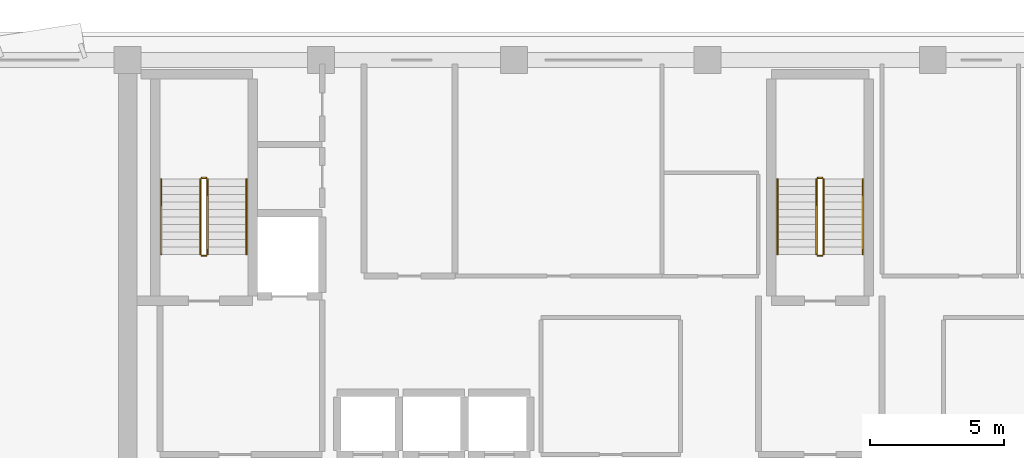
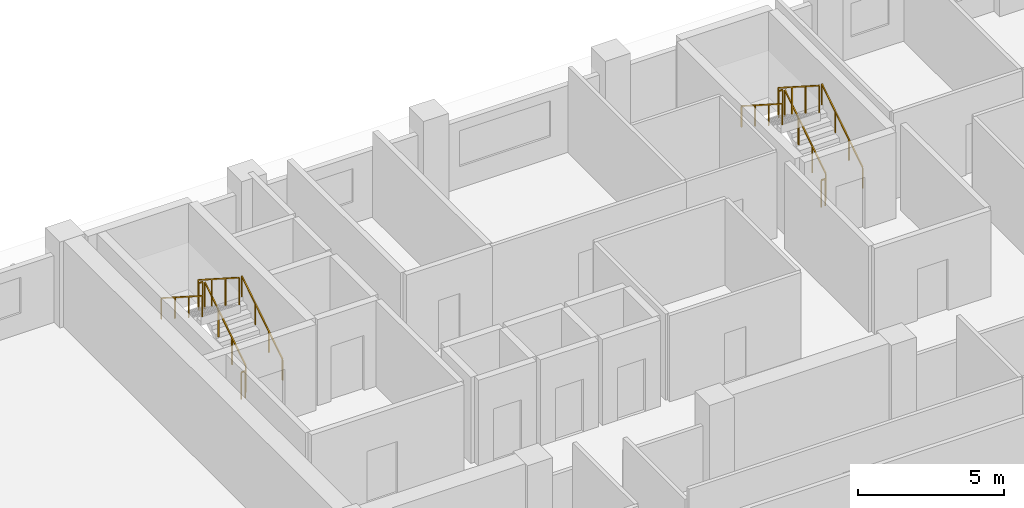
# One storey, part 10 of 11: 12 railings.
"""IFC4 building model written with IfcOpenShell, lengths in metres."""

from ifc_helpers import new_model, si_unit, direction, frame, origin, origin_2d, place, context, subcontext, project, spatial, rectangle, extrude, material, type_object, element, save


model = new_model("IFC4")

# Units and contexts
model_context = context("Model", 3, precision=1e-05, world=origin(), true_north=direction((0.0, 1.0)))
body_context = subcontext(model_context, "Body", "Model", "MODEL_VIEW")
ifc_project = project(units=[si_unit("LENGTHUNIT", "METRE"), si_unit("AREAUNIT", "SQUARE_METRE"), si_unit("VOLUMEUNIT", "CUBIC_METRE"), si_unit("PLANEANGLEUNIT", "RADIAN"), si_unit("MASSUNIT", "GRAM", prefix="KILO")], contexts=[model_context])

# Site, building, storey
site_placement = place(None, origin())
site = spatial("IfcSite", under=ifc_project, at=site_placement, CompositionType="ELEMENT")
building_placement = place(site_placement, origin())
building = spatial("IfcBuilding", under=site, at=building_placement, Name="Kaelvorn Grand Hotel", CompositionType="ELEMENT")
storey_placement = place(building_placement, frame((0.0, 0.0, 276.550048828125)))
storey = spatial("IfcBuildingStorey", under=building, at=storey_placement, Name="L68", CompositionType="ELEMENT", Elevation=276.550048828125)

# Railings
ifc_material = material(Name="Stainless Steel", Category="steel")
railing_type_1 = type_object("IfcRailingType", Name="RL-HANDRAIL-900", PredefinedType="HANDRAIL", material=ifc_material)
railing_1_placement = place(storey_placement, frame((20.6298828125, 41.760009765625, 0.179443359375)))
element("IfcRailing", 1, at=railing_1_placement, inside=storey, type_object=railing_type_1, Name="L68 ST1 stair handrail 1", PredefinedType="HANDRAIL", context=body_context, shape_type="SweptSolid", body=[
    extrude(rectangle(XDim=0.048095703125, YDim=0.048095703125, at=origin_2d()), frame((0.0, 0.0, 0.8759765625), z_axis=(0.0, 0.841809871826, 0.539774156196), x_axis=(-1.0, 0.0, 0.0)), (0.0, 0.0, 1.0), 3.326171875),
    extrude(rectangle(XDim=0.0419921875, YDim=0.0419921875, at=origin_2d()), origin(), (0.0, 0.0, 1.0), 0.851806640625),
    extrude(rectangle(XDim=0.0419921875, YDim=0.0419921875, at=origin_2d()), frame((0.0, 0.933349609375, 0.598388671875)), (0.0, 0.0, 1.0), 0.851806640625),
    extrude(rectangle(XDim=0.0419921875, YDim=0.0419921875, at=origin_2d()), frame((0.0, 1.86669921875, 1.197021484375)), (0.0, 0.0, 1.0), 0.851806640625),
    extrude(rectangle(XDim=0.0419921875, YDim=0.0419921875, at=origin_2d()), frame((0.0, 2.800048828125, 1.79541015625)), (0.0, 0.0, 1.0), 0.851806640625),
])
railing_2_placement = place(storey_placement, frame((17.449951171875, 44.56005859375, 2.154541015625)))
element("IfcRailing", 2, at=railing_2_placement, inside=storey, type_object=railing_type_1, Name="L68 ST1 stair handrail 2", PredefinedType="HANDRAIL", context=body_context, shape_type="SweptSolid", body=[
    extrude(rectangle(XDim=0.048095703125, YDim=0.048095703125, at=origin_2d()), frame((0.0, 0.0, 0.8759765625), z_axis=(0.0, -0.841809871826, 0.539774156196), x_axis=(1.0, 0.0, 0.0)), (0.0, 0.0, 1.0), 3.326171875),
    extrude(rectangle(XDim=0.0419921875, YDim=0.0419921875, at=origin_2d()), origin(), (0.0, 0.0, 1.0), 0.851806640625),
    extrude(rectangle(XDim=0.0419921875, YDim=0.0419921875, at=origin_2d()), frame((0.0, -0.933349609375, 0.598388671875)), (0.0, 0.0, 1.0), 0.851806640625),
    extrude(rectangle(XDim=0.0419921875, YDim=0.0419921875, at=origin_2d()), frame((0.0, -1.86669921875, 1.197021484375)), (0.0, 0.0, 1.0), 0.851806640625),
    extrude(rectangle(XDim=0.0419921875, YDim=0.0419921875, at=origin_2d()), frame((0.0, -2.800048828125, 1.79541015625)), (0.0, 0.0, 1.0), 0.851806640625),
])
railing_3_placement = place(storey_placement, frame((43.590087890625, 41.760009765625, 0.179443359375)))
element("IfcRailing", 3, at=railing_3_placement, inside=storey, type_object=railing_type_1, Name="L68 ST2 stair handrail 1", PredefinedType="HANDRAIL", context=body_context, shape_type="SweptSolid", body=[
    extrude(rectangle(XDim=0.048095703125, YDim=0.048095703125, at=origin_2d()), frame((0.0, 0.0, 0.8759765625), z_axis=(0.0, 0.841809871826, 0.539774156196), x_axis=(-1.0, 0.0, 0.0)), (0.0, 0.0, 1.0), 3.326171875),
    extrude(rectangle(XDim=0.0419921875, YDim=0.0419921875, at=origin_2d()), origin(), (0.0, 0.0, 1.0), 0.851806640625),
    extrude(rectangle(XDim=0.0419921875, YDim=0.0419921875, at=origin_2d()), frame((0.0, 0.933349609375, 0.598388671875)), (0.0, 0.0, 1.0), 0.851806640625),
    extrude(rectangle(XDim=0.0419921875, YDim=0.0419921875, at=origin_2d()), frame((0.0, 1.86669921875, 1.197021484375)), (0.0, 0.0, 1.0), 0.851806640625),
    extrude(rectangle(XDim=0.0419921875, YDim=0.0419921875, at=origin_2d()), frame((0.0, 2.800048828125, 1.79541015625)), (0.0, 0.0, 1.0), 0.851806640625),
])
railing_4_placement = place(storey_placement, frame((40.409912109375, 44.56005859375, 2.154541015625)))
element("IfcRailing", 4, at=railing_4_placement, inside=storey, type_object=railing_type_1, Name="L68 ST2 stair handrail 2", PredefinedType="HANDRAIL", context=body_context, shape_type="SweptSolid", body=[
    extrude(rectangle(XDim=0.048095703125, YDim=0.048095703125, at=origin_2d()), frame((0.0, 0.0, 0.8759765625), z_axis=(0.0, -0.841809871826, 0.539774156196), x_axis=(1.0, 0.0, 0.0)), (0.0, 0.0, 1.0), 3.326171875),
    extrude(rectangle(XDim=0.0419921875, YDim=0.0419921875, at=origin_2d()), origin(), (0.0, 0.0, 1.0), 0.851806640625),
    extrude(rectangle(XDim=0.0419921875, YDim=0.0419921875, at=origin_2d()), frame((0.0, -0.933349609375, 0.598388671875)), (0.0, 0.0, 1.0), 0.851806640625),
    extrude(rectangle(XDim=0.0419921875, YDim=0.0419921875, at=origin_2d()), frame((0.0, -1.86669921875, 1.197021484375)), (0.0, 0.0, 1.0), 0.851806640625),
    extrude(rectangle(XDim=0.0419921875, YDim=0.0419921875, at=origin_2d()), frame((0.0, -2.800048828125, 1.79541015625)), (0.0, 0.0, 1.0), 0.851806640625),
])
railing_type_2 = type_object("IfcRailingType", Name="RL-STAIR-GUARD-1150", PredefinedType="BALUSTRADE", material=ifc_material)
railing_5_placement = place(storey_placement, frame((19.169921875, 41.760009765625, 0.179443359375)))
element("IfcRailing", 5, at=railing_5_placement, inside=storey, type_object=railing_type_2, Name="L68 ST1 stair guard 1", PredefinedType="BALUSTRADE", context=body_context, shape_type="SweptSolid", body=[
    extrude(rectangle(XDim=0.048095703125, YDim=0.048095703125, at=origin_2d()), frame((0.0, 0.0, 1.1259765625), z_axis=(0.0, 0.841809871826, 0.539774156196), x_axis=(-1.0, 0.0, 0.0)), (0.0, 0.0, 1.0), 3.326171875),
    extrude(rectangle(XDim=0.0419921875, YDim=0.0419921875, at=origin_2d()), origin(), (0.0, 0.0, 1.0), 1.101806640625),
    extrude(rectangle(XDim=0.0419921875, YDim=0.0419921875, at=origin_2d()), frame((0.0, 0.933349609375, 0.598388671875)), (0.0, 0.0, 1.0), 1.101806640625),
    extrude(rectangle(XDim=0.0419921875, YDim=0.0419921875, at=origin_2d()), frame((0.0, 1.86669921875, 1.197021484375)), (0.0, 0.0, 1.0), 1.101806640625),
    extrude(rectangle(XDim=0.0419921875, YDim=0.0419921875, at=origin_2d()), frame((0.0, 2.800048828125, 1.79541015625)), (0.0, 0.0, 1.0), 1.101806640625),
])
railing_6_placement = place(storey_placement, frame((19.1201171875, 44.610107421875, 1.974853515625)))
element("IfcRailing", 6, at=railing_6_placement, inside=storey, type_object=railing_type_2, Name="L68 ST1 stair guard 2", PredefinedType="BALUSTRADE", context=body_context, shape_type="SweptSolid", body=[
    extrude(rectangle(XDim=0.048095703125, YDim=0.048095703125, at=origin_2d()), frame((0.0, 0.0, 1.1259765625), z_axis=(-1.0, 0.0, 0.0), x_axis=(0.0, -1.0, 0.0)), (0.0, 0.0, 1.0), 0.16015625),
    extrude(rectangle(XDim=0.0419921875, YDim=0.0419921875, at=origin_2d()), origin(), (0.0, 0.0, 1.0), 1.101806640625),
    extrude(rectangle(XDim=0.0419921875, YDim=0.0419921875, at=origin_2d()), frame((-0.16015625, 0.0, 0.0)), (0.0, 0.0, 1.0), 1.101806640625),
])
railing_7_placement = place(storey_placement, frame((18.909912109375, 44.56005859375, 2.154541015625)))
element("IfcRailing", 7, at=railing_7_placement, inside=storey, type_object=railing_type_2, Name="L68 ST1 stair guard 3", PredefinedType="BALUSTRADE", context=body_context, shape_type="SweptSolid", body=[
    extrude(rectangle(XDim=0.048095703125, YDim=0.048095703125, at=origin_2d()), frame((0.0, 0.0, 1.1259765625), z_axis=(0.0, -0.841809871826, 0.539774156196), x_axis=(1.0, 0.0, 0.0)), (0.0, 0.0, 1.0), 3.326171875),
    extrude(rectangle(XDim=0.0419921875, YDim=0.0419921875, at=origin_2d()), origin(), (0.0, 0.0, 1.0), 1.101806640625),
    extrude(rectangle(XDim=0.0419921875, YDim=0.0419921875, at=origin_2d()), frame((0.0, -0.933349609375, 0.598388671875)), (0.0, 0.0, 1.0), 1.101806640625),
    extrude(rectangle(XDim=0.0419921875, YDim=0.0419921875, at=origin_2d()), frame((0.0, -1.86669921875, 1.197021484375)), (0.0, 0.0, 1.0), 1.101806640625),
    extrude(rectangle(XDim=0.0419921875, YDim=0.0419921875, at=origin_2d()), frame((0.0, -2.800048828125, 1.79541015625)), (0.0, 0.0, 1.0), 1.101806640625),
])
railing_8_placement = place(storey_placement, frame((19.1201171875, 41.7099609375, 0.0)))
element("IfcRailing", 8, at=railing_8_placement, inside=storey, type_object=railing_type_2, Name="L68 ST1 stair guard 4", PredefinedType="BALUSTRADE", context=body_context, shape_type="SweptSolid", body=[
    extrude(rectangle(XDim=0.048095703125, YDim=0.048095703125, at=origin_2d()), frame((0.0, 0.0, 1.1259765625), z_axis=(-1.0, 0.0, 0.0), x_axis=(0.0, -1.0, 0.0)), (0.0, 0.0, 1.0), 0.16015625),
    extrude(rectangle(XDim=0.0419921875, YDim=0.0419921875, at=origin_2d()), origin(), (0.0, 0.0, 1.0), 1.101806640625),
    extrude(rectangle(XDim=0.0419921875, YDim=0.0419921875, at=origin_2d()), frame((-0.16015625, 0.0, 0.0)), (0.0, 0.0, 1.0), 1.101806640625),
])
railing_9_placement = place(storey_placement, frame((42.1298828125, 41.760009765625, 0.179443359375)))
element("IfcRailing", 9, at=railing_9_placement, inside=storey, type_object=railing_type_2, Name="L68 ST2 stair guard 1", PredefinedType="BALUSTRADE", context=body_context, shape_type="SweptSolid", body=[
    extrude(rectangle(XDim=0.048095703125, YDim=0.048095703125, at=origin_2d()), frame((0.0, 0.0, 1.1259765625), z_axis=(0.0, 0.841809871826, 0.539774156196), x_axis=(-1.0, 0.0, 0.0)), (0.0, 0.0, 1.0), 3.326171875),
    extrude(rectangle(XDim=0.0419921875, YDim=0.0419921875, at=origin_2d()), origin(), (0.0, 0.0, 1.0), 1.101806640625),
    extrude(rectangle(XDim=0.0419921875, YDim=0.0419921875, at=origin_2d()), frame((0.0, 0.933349609375, 0.598388671875)), (0.0, 0.0, 1.0), 1.101806640625),
    extrude(rectangle(XDim=0.0419921875, YDim=0.0419921875, at=origin_2d()), frame((0.0, 1.86669921875, 1.197021484375)), (0.0, 0.0, 1.0), 1.101806640625),
    extrude(rectangle(XDim=0.0419921875, YDim=0.0419921875, at=origin_2d()), frame((0.0, 2.800048828125, 1.79541015625)), (0.0, 0.0, 1.0), 1.101806640625),
])
railing_10_placement = place(storey_placement, frame((42.080078125, 44.610107421875, 1.974853515625)))
element("IfcRailing", 10, at=railing_10_placement, inside=storey, type_object=railing_type_2, Name="L68 ST2 stair guard 2", PredefinedType="BALUSTRADE", context=body_context, shape_type="SweptSolid", body=[
    extrude(rectangle(XDim=0.048095703125, YDim=0.048095703125, at=origin_2d()), frame((0.0, 0.0, 1.1259765625), z_axis=(-1.0, 0.0, 0.0), x_axis=(0.0, -1.0, 0.0)), (0.0, 0.0, 1.0), 0.16015625),
    extrude(rectangle(XDim=0.0419921875, YDim=0.0419921875, at=origin_2d()), origin(), (0.0, 0.0, 1.0), 1.101806640625),
    extrude(rectangle(XDim=0.0419921875, YDim=0.0419921875, at=origin_2d()), frame((-0.16015625, 0.0, 0.0)), (0.0, 0.0, 1.0), 1.101806640625),
])
railing_11_placement = place(storey_placement, frame((41.8701171875, 44.56005859375, 2.154541015625)))
element("IfcRailing", 11, at=railing_11_placement, inside=storey, type_object=railing_type_2, Name="L68 ST2 stair guard 3", PredefinedType="BALUSTRADE", context=body_context, shape_type="SweptSolid", body=[
    extrude(rectangle(XDim=0.048095703125, YDim=0.048095703125, at=origin_2d()), frame((0.0, 0.0, 1.1259765625), z_axis=(0.0, -0.841809871826, 0.539774156196), x_axis=(1.0, 0.0, 0.0)), (0.0, 0.0, 1.0), 3.326171875),
    extrude(rectangle(XDim=0.0419921875, YDim=0.0419921875, at=origin_2d()), origin(), (0.0, 0.0, 1.0), 1.101806640625),
    extrude(rectangle(XDim=0.0419921875, YDim=0.0419921875, at=origin_2d()), frame((0.0, -0.933349609375, 0.598388671875)), (0.0, 0.0, 1.0), 1.101806640625),
    extrude(rectangle(XDim=0.0419921875, YDim=0.0419921875, at=origin_2d()), frame((0.0, -1.86669921875, 1.197021484375)), (0.0, 0.0, 1.0), 1.101806640625),
    extrude(rectangle(XDim=0.0419921875, YDim=0.0419921875, at=origin_2d()), frame((0.0, -2.800048828125, 1.79541015625)), (0.0, 0.0, 1.0), 1.101806640625),
])
railing_12_placement = place(storey_placement, frame((42.080078125, 41.7099609375, 0.0)))
element("IfcRailing", 12, at=railing_12_placement, inside=storey, type_object=railing_type_2, Name="L68 ST2 stair guard 4", PredefinedType="BALUSTRADE", context=body_context, shape_type="SweptSolid", body=[
    extrude(rectangle(XDim=0.048095703125, YDim=0.048095703125, at=origin_2d()), frame((0.0, 0.0, 1.1259765625), z_axis=(-1.0, 0.0, 0.0), x_axis=(0.0, -1.0, 0.0)), (0.0, 0.0, 1.0), 0.16015625),
    extrude(rectangle(XDim=0.0419921875, YDim=0.0419921875, at=origin_2d()), origin(), (0.0, 0.0, 1.0), 1.101806640625),
    extrude(rectangle(XDim=0.0419921875, YDim=0.0419921875, at=origin_2d()), frame((-0.16015625, 0.0, 0.0)), (0.0, 0.0, 1.0), 1.101806640625),
])

save(model, "model.ifc")
